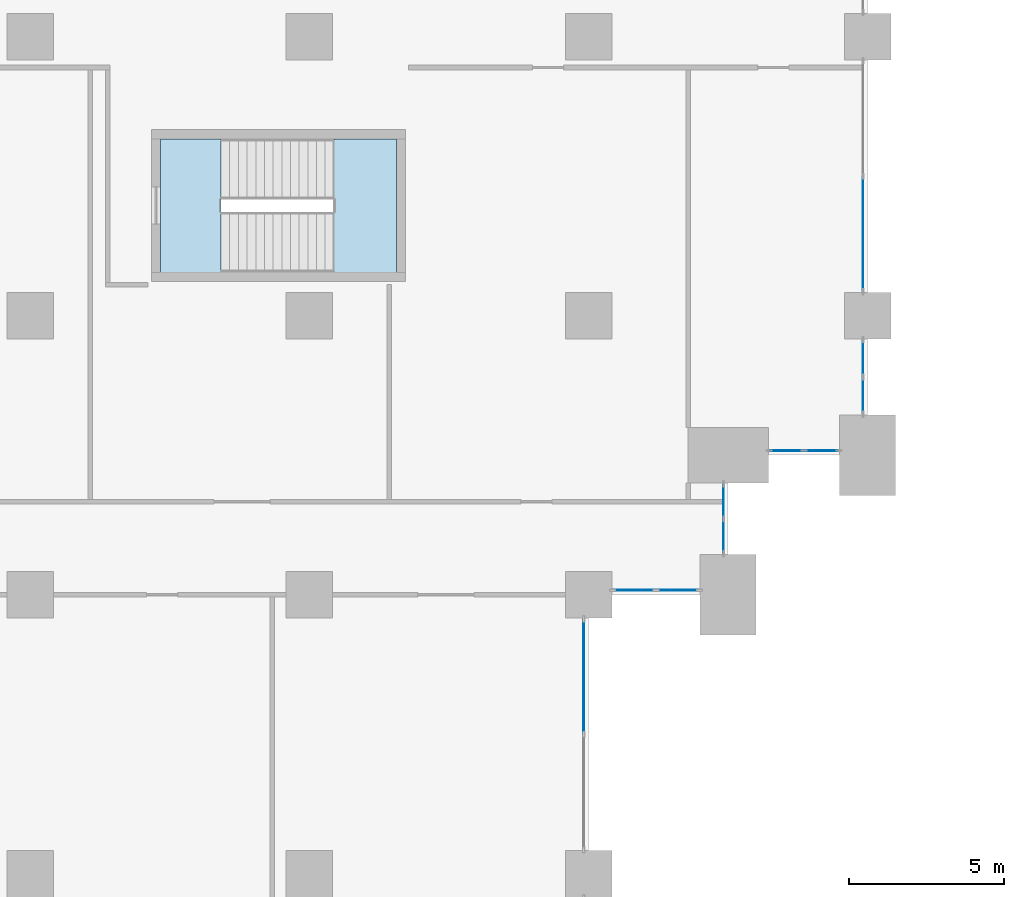
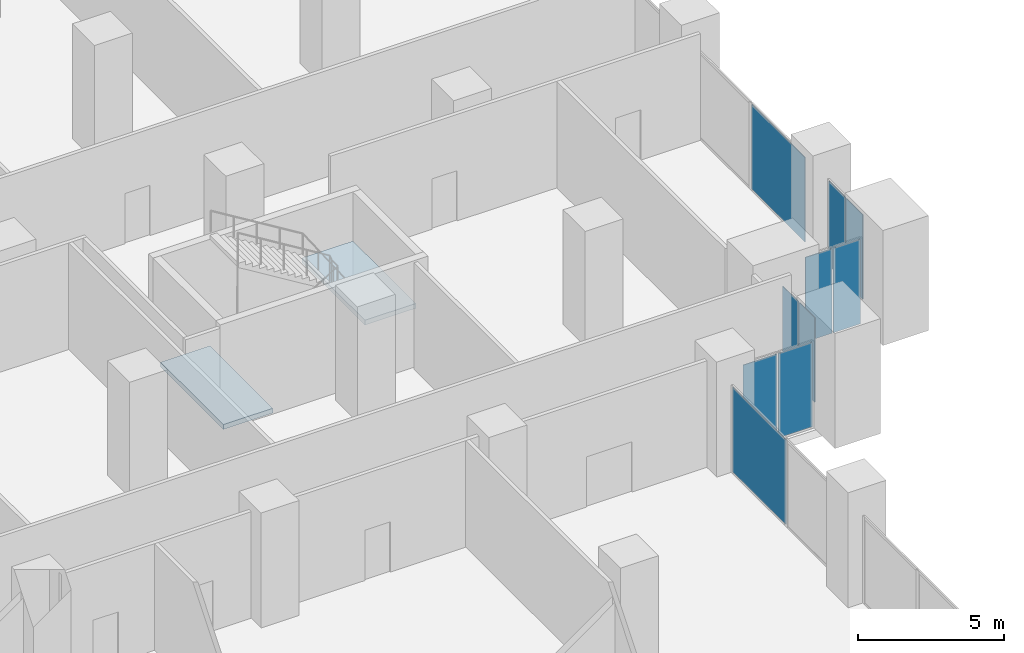
# One storey, part 9 of 31: 10 plates, 2 slabs, 7 elements without a shape of their own.
"""IFC4 building model written with IfcOpenShell, lengths in metres."""

from ifc_helpers import new_model, si_unit, direction, frame, origin, origin_2d, place, context, subcontext, project, spatial, polyline, rectangle, outline, extrude, material, layer, layer_set, type_object, element, aggregate, save


model = new_model("IFC4")

# Units and contexts
model_context = context("Model", 3, precision=1e-05, world=origin(), true_north=direction((0.0, 1.0)))
body_context = subcontext(model_context, "Body", "Model", "MODEL_VIEW")
ifc_project = project(units=[si_unit("LENGTHUNIT", "METRE"), si_unit("AREAUNIT", "SQUARE_METRE"), si_unit("VOLUMEUNIT", "CUBIC_METRE"), si_unit("PLANEANGLEUNIT", "RADIAN"), si_unit("MASSUNIT", "GRAM", prefix="KILO")], contexts=[model_context])

# Site, building, storey
site_placement = place(None, origin())
site = spatial("IfcSite", under=ifc_project, at=site_placement, CompositionType="ELEMENT")
building_placement = place(site_placement, origin())
building = spatial("IfcBuilding", under=site, at=building_placement, Name="Hunhe Ridgeline Campus", CompositionType="ELEMENT")
storey_placement = place(building_placement, frame((0.0, 0.0, 16.800048828125)))
storey = spatial("IfcBuildingStorey", under=building, at=storey_placement, Name="L03", CompositionType="ELEMENT", Elevation=16.800048828125)

# Curtain wall, plates
ifc_material_1 = material(Name="Aluminium and glass", Category="aluminium")
curtain_wall_type = type_object("IfcCurtainWallType", Name="Podium curtain wall CW-2", PredefinedType="NOTDEFINED", material=ifc_material_1)
curtain_wall_1_placement = place(storey_placement, origin())
curtain_wall_1 = element("IfcCurtainWall", 1, at=curtain_wall_1_placement, inside=storey, type_object=curtain_wall_type, Name="L03 podium curtain wall 1", PredefinedType="NOTDEFINED")
ifc_material_2 = material(Name="Clear glass", Category="glass")
ifc_layer_1 = layer(ifc_material_2, 0.028076171875)
ifc_layer_set_1 = layer_set([ifc_layer_1], Name="CW-2 clear glass panel 28")
plate_type = type_object("IfcPlateType", Name="CW-2 clear glass panel 28", PredefinedType="CURTAIN_PANEL", material=ifc_layer_set_1)
plate_1_placement = place(storey_placement, frame((91.4775390625, 54.14990234375, 0.06005859375), z_axis=(0.0, 0.0, 1.0), x_axis=(1.0, 0.0, 0.0)))
plate_1 = element("IfcPlate", 2, at=plate_1_placement, type_object=plate_type, Name="CW2 panel 1.1", PredefinedType="CURTAIN_PANEL", context=body_context, shape_type="SweptSolid", body=[
    extrude(rectangle(XDim=1.3349609375, YDim=0.028076171875, at=origin_2d()), origin(), (0.0, 0.0, 1.0), 3.530029296875),
])
plate_2_placement = place(storey_placement, frame((92.87255859375, 54.14990234375, 0.06005859375), z_axis=(0.0, 0.0, 1.0), x_axis=(1.0, 0.0, 0.0)))
plate_2 = element("IfcPlate", 3, at=plate_2_placement, type_object=plate_type, Name="CW2 panel 2.1", PredefinedType="CURTAIN_PANEL", context=body_context, shape_type="SweptSolid", body=[
    extrude(rectangle(XDim=1.3349609375, YDim=0.028076171875, at=origin_2d()), origin(), (0.0, 0.0, 1.0), 3.530029296875),
])
aggregate(curtain_wall_1, [plate_1, plate_2])

curtain_wall_2_placement = place(storey_placement, origin())
curtain_wall_2 = element("IfcCurtainWall", 4, at=curtain_wall_2_placement, inside=storey, type_object=curtain_wall_type, Name="L03 podium curtain wall 2", PredefinedType="NOTDEFINED")
plate_3_placement = place(storey_placement, frame((94.35009765625, 55.889892578125, 0.06005859375), z_axis=(0.0, 0.0, 1.0), x_axis=(0.0, 1.0, 0.0)))
plate_3 = element("IfcPlate", 5, at=plate_3_placement, type_object=plate_type, Name="CW2 panel 1.1", PredefinedType="CURTAIN_PANEL", context=body_context, shape_type="SweptSolid", body=[
    extrude(rectangle(XDim=1.06005859375, YDim=0.028076171875, at=origin_2d()), origin(), (0.0, 0.0, 1.0), 3.530029296875),
])
plate_4_placement = place(storey_placement, frame((94.35009765625, 57.010009765625, 0.06005859375), z_axis=(0.0, 0.0, 1.0), x_axis=(0.0, 1.0, 0.0)))
plate_4 = element("IfcPlate", 6, at=plate_4_placement, type_object=plate_type, Name="CW2 panel 2.1", PredefinedType="CURTAIN_PANEL", context=body_context, shape_type="SweptSolid", body=[
    extrude(rectangle(XDim=1.06005859375, YDim=0.028076171875, at=origin_2d()), origin(), (0.0, 0.0, 1.0), 3.530029296875),
])
aggregate(curtain_wall_2, [plate_3, plate_4])

curtain_wall_3_placement = place(storey_placement, origin())
curtain_wall_3 = element("IfcCurtainWall", 7, at=curtain_wall_3_placement, inside=storey, type_object=curtain_wall_type, Name="L03 podium curtain wall 3", PredefinedType="NOTDEFINED")
plate_5_placement = place(storey_placement, frame((96.389892578125, 58.64990234375, 0.06005859375), z_axis=(0.0, 0.0, 1.0), x_axis=(1.0, 0.0, 0.0)))
plate_5 = element("IfcPlate", 8, at=plate_5_placement, type_object=plate_type, Name="CW2 panel 1.1", PredefinedType="CURTAIN_PANEL", context=body_context, shape_type="SweptSolid", body=[
    extrude(rectangle(XDim=1.06005859375, YDim=0.028076171875, at=origin_2d()), origin(), (0.0, 0.0, 1.0), 3.530029296875),
])
plate_6_placement = place(storey_placement, frame((97.510009765625, 58.64990234375, 0.06005859375), z_axis=(0.0, 0.0, 1.0), x_axis=(1.0, 0.0, 0.0)))
plate_6 = element("IfcPlate", 9, at=plate_6_placement, type_object=plate_type, Name="CW2 panel 2.1", PredefinedType="CURTAIN_PANEL", context=body_context, shape_type="SweptSolid", body=[
    extrude(rectangle(XDim=1.06005859375, YDim=0.028076171875, at=origin_2d()), origin(), (0.0, 0.0, 1.0), 3.530029296875),
])
aggregate(curtain_wall_3, [plate_5, plate_6])

curtain_wall_4_placement = place(storey_placement, origin())
curtain_wall_4 = element("IfcCurtainWall", 10, at=curtain_wall_4_placement, inside=storey, type_object=curtain_wall_type, Name="L03 podium curtain wall 4", PredefinedType="NOTDEFINED")
plate_7_placement = place(storey_placement, frame((98.85009765625, 60.427490234375, 0.06005859375), z_axis=(0.0, 0.0, 1.0), x_axis=(0.0, 1.0, 0.0)))
plate_7 = element("IfcPlate", 11, at=plate_7_placement, type_object=plate_type, Name="CW2 panel 1.1", PredefinedType="CURTAIN_PANEL", context=body_context, shape_type="SweptSolid", body=[
    extrude(rectangle(XDim=1.135009765625, YDim=0.028076171875, at=origin_2d()), origin(), (0.0, 0.0, 1.0), 3.530029296875),
])
plate_8_placement = place(storey_placement, frame((98.85009765625, 61.62255859375, 0.06005859375), z_axis=(0.0, 0.0, 1.0), x_axis=(0.0, 1.0, 0.0)))
plate_8 = element("IfcPlate", 12, at=plate_8_placement, type_object=plate_type, Name="CW2 panel 2.1", PredefinedType="CURTAIN_PANEL", context=body_context, shape_type="SweptSolid", body=[
    extrude(rectangle(XDim=1.135009765625, YDim=0.028076171875, at=origin_2d()), origin(), (0.0, 0.0, 1.0), 3.530029296875),
])
aggregate(curtain_wall_4, [plate_7, plate_8])

# Curtain wall, plate
curtain_wall_5_placement = place(storey_placement, origin())
curtain_wall_5 = element("IfcCurtainWall", 13, at=curtain_wall_5_placement, inside=storey, type_object=curtain_wall_type, Name="L03 podium curtain wall 5", PredefinedType="NOTDEFINED")
plate_9_placement = place(storey_placement, frame((98.85009765625, 65.639892578125, 0.06005859375), z_axis=(0.0, 0.0, 1.0), x_axis=(0.0, 1.0, 0.0)))
plate_9 = element("IfcPlate", 14, at=plate_9_placement, type_object=plate_type, Name="CW2 panel 1.1", PredefinedType="CURTAIN_PANEL", context=body_context, shape_type="SweptSolid", body=[
    extrude(rectangle(XDim=3.659912109375, YDim=0.028076171875, at=origin_2d()), origin(), (0.0, 0.0, 1.0), 3.530029296875),
])
aggregate(curtain_wall_5, [plate_9])

curtain_wall_6_placement = place(storey_placement, origin())
curtain_wall_6 = element("IfcCurtainWall", 15, at=curtain_wall_6_placement, inside=storey, type_object=curtain_wall_type, Name="L03 podium curtain wall 24", PredefinedType="NOTDEFINED")
plate_10_placement = place(storey_placement, frame((89.85009765625, 51.360107421875, 0.06005859375), z_axis=(0.0, 0.0, 1.0), x_axis=(0.0, 1.0, 0.0)))
plate_10 = element("IfcPlate", 16, at=plate_10_placement, type_object=plate_type, Name="CW2 panel 2.1", PredefinedType="CURTAIN_PANEL", context=body_context, shape_type="SweptSolid", body=[
    extrude(rectangle(XDim=3.659912109375, YDim=0.028076171875, at=origin_2d()), origin(), (0.0, 0.0, 1.0), 3.530029296875),
])
aggregate(curtain_wall_6, [plate_10])

# Stair, slab
ifc_material_3 = material(Name="Concrete C40", Category="concrete")
stair_type = type_object("IfcStairType", Name="Reinforced concrete dog-leg stair 1950 Concrete C40", PredefinedType="HALF_TURN_STAIR", material=ifc_material_3)
stair_placement = place(storey_placement, origin())
stair = element("IfcStair", 17, at=stair_placement, inside=storey, type_object=stair_type, Name="L03 E5", PredefinedType="HALF_TURN_STAIR")
ifc_layer_2 = layer(ifc_material_3, 0.199951171875)
ifc_layer_set_2 = layer_set([ifc_layer_2], Name="Reinforced concrete stair landing 200 Concrete C40")
slab_type = type_object("IfcSlabType", Name="Reinforced concrete stair landing 200 Concrete C40", PredefinedType="LANDING", material=ifc_layer_set_2)
slab_1_placement = place(storey_placement, frame((0.0, 0.0, 2.199951171875)))
slab_1 = element("IfcSlab", 18, at=slab_1_placement, type_object=slab_type, Name="ST10 landing 1", PredefinedType="LANDING", context=body_context, shape_type="SweptSolid", body=[
    extrude(outline(polyline([(81.7900390625, 64.39990234375), (83.800048828125, 64.39990234375), (83.800048828125, 68.699951171875), (81.7900390625, 68.699951171875), (81.7900390625, 64.39990234375)])), origin(), (0.0, 0.0, 1.0), 0.199951171875),
])
aggregate(stair, [slab_1])

# Slab
slab_2_placement = place(storey_placement, frame((0.0, 0.0, -0.199951171875)))
element("IfcSlab", 19, at=slab_2_placement, inside=storey, type_object=slab_type, Name="L03 stair E5 floor landing", PredefinedType="LANDING", context=body_context, shape_type="SweptSolid", body=[
    extrude(outline(polyline([(76.199951171875, 64.39990234375), (78.14990234375, 64.39990234375), (78.14990234375, 68.699951171875), (76.199951171875, 68.699951171875), (76.199951171875, 64.39990234375)])), origin(), (0.0, 0.0, 1.0), 0.199951171875),
])

save(model, "model.ifc")
